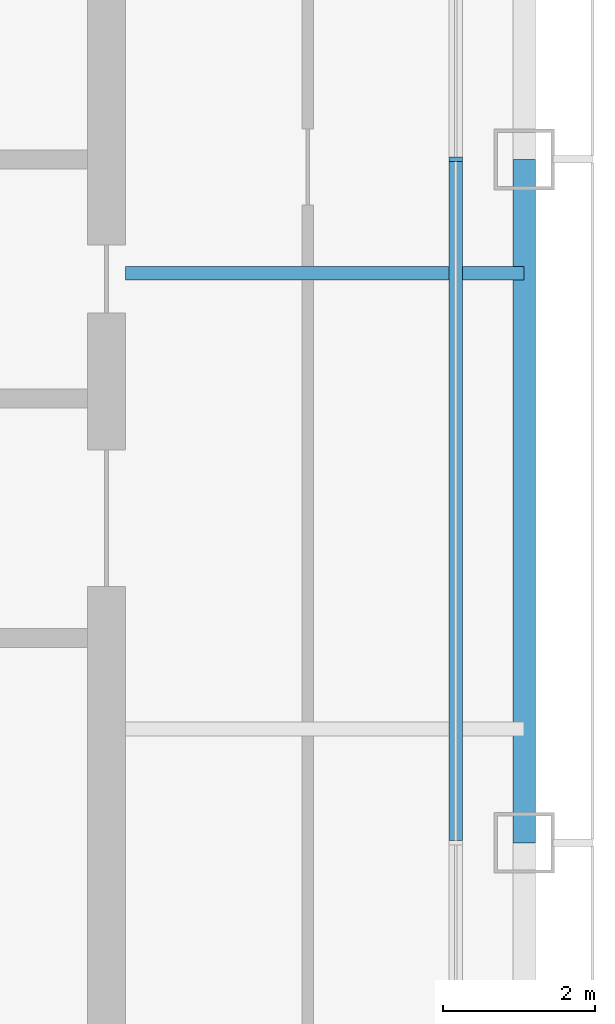
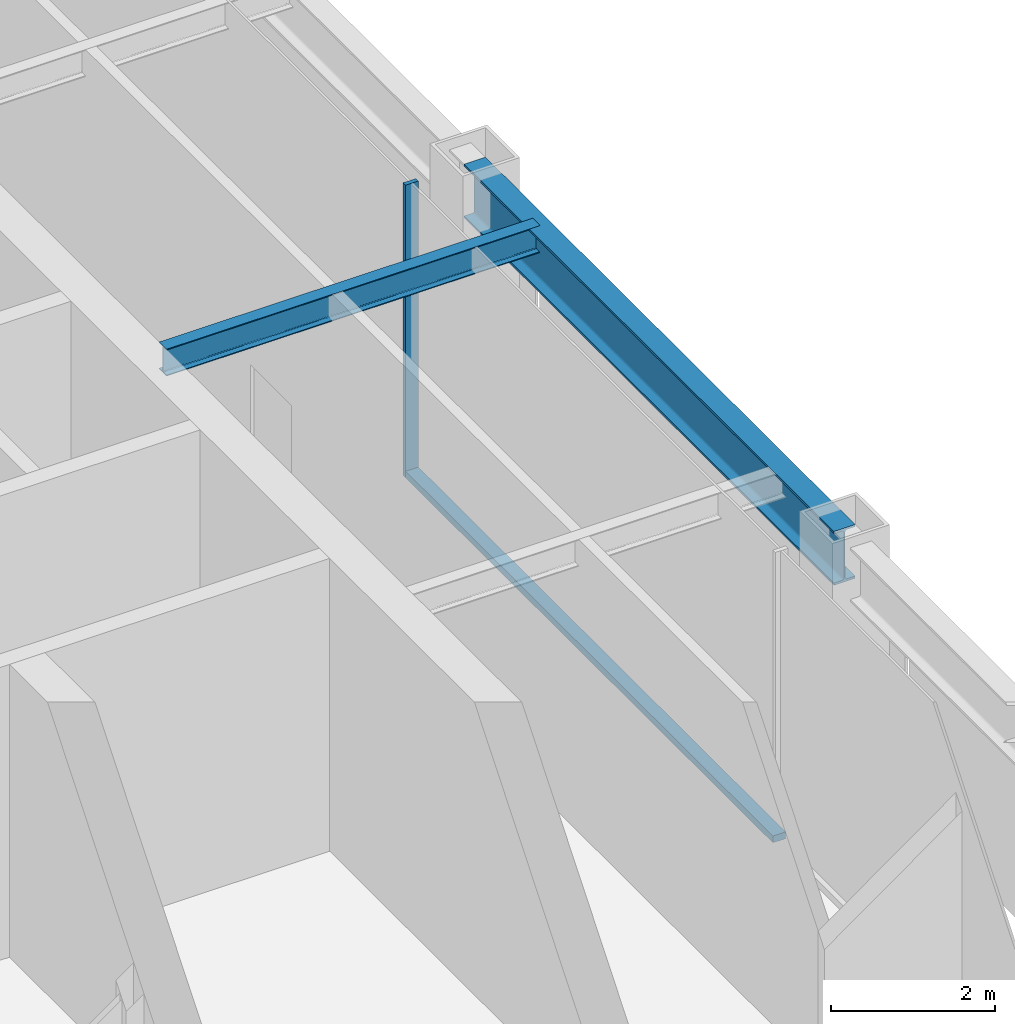
# One storey, part 5 of 23: 2 beams, 2 members, 1 element without a shape of its own.
"""IFC4 building model written with IfcOpenShell, lengths in metres."""

from ifc_helpers import new_model, si_unit, direction, frame, origin, origin_2d, place, context, subcontext, project, spatial, rectangle, i_section, extrude, material, layer, layer_set, material_profile, profile_set, type_object, element, aggregate, save


model = new_model("IFC4")

# Units and contexts
model_context = context("Model", 3, precision=1e-05, world=origin(), true_north=direction((0.0, 1.0)))
body_context = subcontext(model_context, "Body", "Model", "MODEL_VIEW")
ifc_project = project(units=[si_unit("LENGTHUNIT", "METRE"), si_unit("AREAUNIT", "SQUARE_METRE"), si_unit("VOLUMEUNIT", "CUBIC_METRE"), si_unit("PLANEANGLEUNIT", "RADIAN"), si_unit("MASSUNIT", "GRAM", prefix="KILO")], contexts=[model_context])

# Site, building, storey
site_placement = place(None, origin())
site = spatial("IfcSite", under=ifc_project, at=site_placement, CompositionType="ELEMENT")
building_placement = place(site_placement, origin())
building = spatial("IfcBuilding", under=site, at=building_placement, Name="Siwar Civic Tower", CompositionType="ELEMENT")
storey_placement = place(building_placement, frame((0.0, 0.0, 251.199951171875)))
storey = spatial("IfcBuildingStorey", under=building, at=storey_placement, Name="L54", CompositionType="ELEMENT", Elevation=251.199951171875)

# Curtain wall, members
ifc_material_1 = material(Name="Aluminium and glass", Category="aluminium")
ifc_layer = layer(ifc_material_1, 0.179931640625)
ifc_layer_set = layer_set([ifc_layer], Name="Aluminium and glass")
curtain_wall_type = type_object("IfcCurtainWallType", Name="ENV-CW-C", PredefinedType="NOTDEFINED", material=ifc_layer_set)
curtain_wall_placement = place(storey_placement, origin())
curtain_wall = element("IfcCurtainWall", 1, at=curtain_wall_placement, inside=storey, type_object=curtain_wall_type, Name="Curtain wall C E", PredefinedType="NOTDEFINED")
ifc_material_2 = material(Name="Aluminium 6063-T6", Category="aluminium")
ifc_material_profile_1 = material_profile(ifc_material_2, rectangle(XDim=0.179931640625, YDim=0.06005859375, at=origin_2d()), Name="AL 180x60")
ifc_profile_set_1 = profile_set([ifc_material_profile_1], Name="Aluminium 6063-T6")
member_type_1 = type_object("IfcMemberType", Name="ENV-MULLION-C", PredefinedType="MULLION", material=ifc_profile_set_1)
member_1_placement = place(storey_placement, frame((26.10009765625, 0.0, 0.0), z_axis=(0.0, 0.0, 1.0), x_axis=(-1.0, 0.0, 0.0)))
member_1 = element("IfcMember", 2, at=member_1_placement, type_object=member_type_1, Name="Mullion C E 3", PredefinedType="MULLION", context=body_context, shape_type="SweptSolid", body=[
    extrude(rectangle(XDim=0.179931640625, YDim=0.06005859375, at=origin_2d()), origin(), (0.0, 0.0, 1.0), 4.35009765625),
])
ifc_material_3 = material(Name="Aluminium 6063-T6", Category="aluminium")
ifc_material_profile_2 = material_profile(ifc_material_3, rectangle(XDim=0.179931640625, YDim=0.10009765625, at=origin_2d()), Name="AL 180x100")
ifc_profile_set_2 = profile_set([ifc_material_profile_2], Name="Aluminium 6063-T6")
member_type_2 = type_object("IfcMemberType", Name="ENV-TRANSOM-C", PredefinedType="USERDEFINED", material=ifc_profile_set_2)
member_2_placement = place(storey_placement, frame((26.10009765625, -8.969970703125, 0.050048828125), z_axis=(0.0, 1.0, 0.0), x_axis=(-1.0, 0.0, 0.0)))
member_2 = element("IfcMember", 3, at=member_2_placement, type_object=member_type_2, Name="Transom C E 2", ObjectType="TRANSOM", PredefinedType="USERDEFINED", context=body_context, shape_type="SweptSolid", body=[
    extrude(rectangle(XDim=0.179931640625, YDim=0.10009765625, at=origin_2d()), origin(), (0.0, 0.0, 1.0), 8.93994140625),
])
aggregate(curtain_wall, [member_1, member_2])

# Beams
ifc_material_4 = material(Name="Steel S355", Category="steel")
ifc_material_profile_3 = material_profile(ifc_material_4, i_section(OverallWidth=0.179931640625, OverallDepth=0.39990234375, WebThickness=0.008544921875, FlangeThickness=0.013427734375, FilletRadius=0.02099609375, at=origin_2d()), Name="IPE400")
ifc_profile_set_3 = profile_set([ifc_material_profile_3], Name="Steel S355")
beam_type_1 = type_object("IfcBeamType", Name="STR-FB-IPE400", PredefinedType="JOIST", material=ifc_profile_set_3)
beam_1_placement = place(storey_placement, frame((21.75, -1.5, 4.150146484375), z_axis=(1.0, 0.0, 0.0), x_axis=(0.0, 1.0, 0.0)))
element("IfcBeam", 4, at=beam_1_placement, inside=storey, type_object=beam_type_1, Name="L54/bm/F024", PredefinedType="JOIST", context=body_context, shape_type="SweptSolid", body=[
    extrude(i_section(OverallWidth=0.179931640625, OverallDepth=0.39990234375, WebThickness=0.008544921875, FlangeThickness=0.013427734375, FilletRadius=0.02099609375, at=origin_2d()), origin(), (0.0, 0.0, 1.0), 5.25),
])
ifc_material_5 = material(Name="Steel S355", Category="steel")
ifc_material_profile_4 = material_profile(ifc_material_5, i_section(OverallWidth=0.300048828125, OverallDepth=0.800048828125, WebThickness=0.017578125, FlangeThickness=0.032958984375, FilletRadius=0.030029296875, at=origin_2d()), Name="HEB800")
ifc_profile_set_4 = profile_set([ifc_material_profile_4], Name="Steel S355")
beam_type_2 = type_object("IfcBeamType", Name="STR-SB-HEB800", PredefinedType="BEAM", material=ifc_profile_set_4)
beam_2_placement = place(storey_placement, frame((27.0, -9.0, 3.949951171875), z_axis=(0.0, 1.0, 0.0), x_axis=(-1.0, 0.0, 0.0)))
element("IfcBeam", 5, at=beam_2_placement, inside=storey, type_object=beam_type_2, Name="L54/bm/SE-1", PredefinedType="BEAM", context=body_context, shape_type="SweptSolid", body=[
    extrude(i_section(OverallWidth=0.300048828125, OverallDepth=0.800048828125, WebThickness=0.017578125, FlangeThickness=0.032958984375, FilletRadius=0.030029296875, at=origin_2d()), origin(), (0.0, 0.0, 1.0), 9.0),
])

save(model, "model.ifc")
